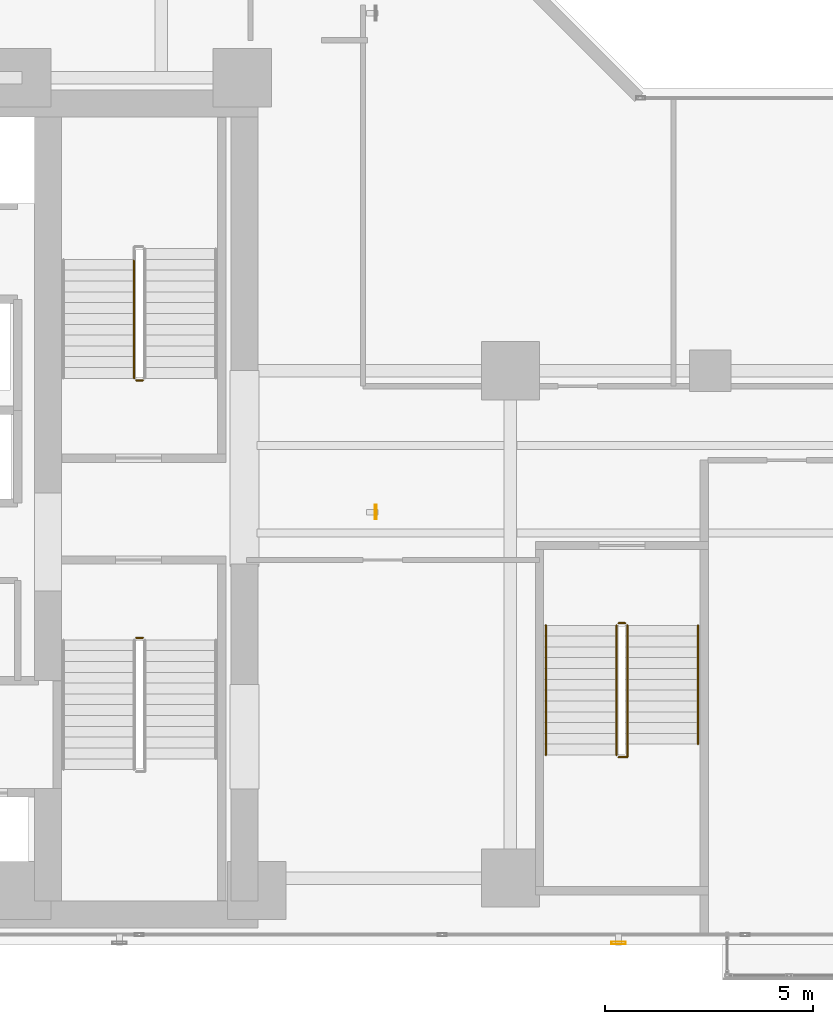
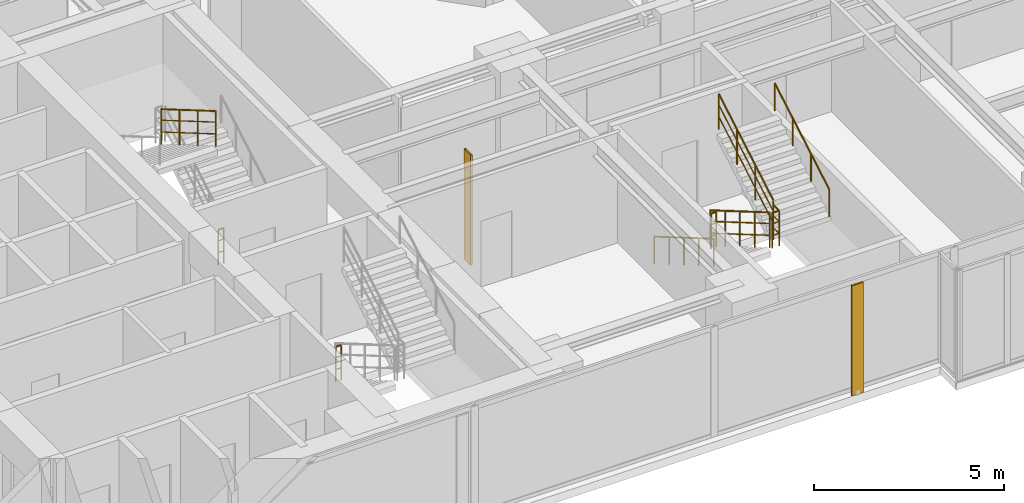
# One storey, part 26 of 29: 9 railings, 2 shading devices.
"""IFC4 building model written with IfcOpenShell, lengths in metres."""

from ifc_helpers import new_model, si_unit, direction, frame, origin, origin_2d, place, context, subcontext, project, spatial, hollow_rectangle, circle, extrude, material, material_profile, profile_set, type_object, element, save


model = new_model("IFC4")

# Units and contexts
model_context = context("Model", 3, precision=1e-05, world=origin(), true_north=direction((0.0, 1.0)))
body_context = subcontext(model_context, "Body", "Model", "MODEL_VIEW")
ifc_project = project(units=[si_unit("LENGTHUNIT", "METRE"), si_unit("AREAUNIT", "SQUARE_METRE"), si_unit("VOLUMEUNIT", "CUBIC_METRE"), si_unit("PLANEANGLEUNIT", "RADIAN"), si_unit("MASSUNIT", "GRAM", prefix="KILO")], contexts=[model_context])

# Site, building, storey
site_placement = place(None, origin())
site = spatial("IfcSite", under=ifc_project, at=site_placement, CompositionType="ELEMENT")
building_placement = place(site_placement, origin())
building = spatial("IfcBuilding", under=site, at=building_placement, Name="Kolvaren Waterfront Exchange", CompositionType="ELEMENT")
storey_placement = place(building_placement, frame((0.0, 0.0, 129.699951171875)))
storey = spatial("IfcBuildingStorey", under=building, at=storey_placement, Name="L33", CompositionType="ELEMENT", Elevation=129.699951171875)

# Shading devices
ifc_material_1 = material(Name="Anodised bronze aluminium 6063-T6", Category="aluminium")
ifc_material_profile = material_profile(ifc_material_1, hollow_rectangle(XDim=0.06005859375, YDim=0.35009765625, WallThickness=0.0048828125, at=origin_2d()), Name="BRZ-FIN-350x60x5")
ifc_profile_set = profile_set([ifc_material_profile], Name="Anodised bronze aluminium 6063-T6")
shading_device_type = type_object("IfcShadingDeviceType", Name="ARC-FIN-350", PredefinedType="USERDEFINED", material=ifc_profile_set)
for number, where, z_axis, x_axis, name in (
    (1, (29.800048828125, 3.639892578125, 0.0), (0.0, 0.0, 1.0), (0.0, -1.0, 0.0), "L33 anodised bronze solar shading fin FIN-L33-S3"),
    (2, (23.9599609375, 14.0, 0.0), (0.0, 0.0, 1.0), (1.0, 0.0, 0.0), "L33 anodised bronze solar shading fin FIN-L33-E1"),
):
    element("IfcShadingDevice", number, at=place(storey_placement, frame(where, z_axis=z_axis, x_axis=x_axis)), inside=storey, type_object=shading_device_type, Name=name, ObjectType="SOLAR FIN", PredefinedType="USERDEFINED", context=body_context, shape_type="SweptSolid", body=[
        extrude(hollow_rectangle(XDim=0.06005859375, YDim=0.35009765625, WallThickness=0.0048828125, at=origin_2d()), origin(), (0.0, 0.0, 1.0), 3.5400390625),
    ])

# Railings
ifc_material_2 = material(Name="Stainless steel 316", Category="steel")
railing_type_1 = type_object("IfcRailingType", Name="ARC-GUARD-STAIR", PredefinedType="GUARDRAIL", material=ifc_material_2)
railing_1_placement = place(storey_placement, frame((18.199951171875, 10.97998046875, 0.0)))
element("IfcRailing", 3, at=railing_1_placement, inside=storey, type_object=railing_type_1, Name="L33 ST1 stair guard 4", PredefinedType="GUARDRAIL", context=body_context, shape_type="SweptSolid", body=[
    extrude(circle(Radius=0.02392578125, at=origin_2d()), frame((0.0, 0.0, 1.1259765625), z_axis=(1.0, 0.0, 0.0), x_axis=(0.0, 1.0, 0.0)), (0.0, 0.0, 1.0), 0.16015625),
    extrude(circle(Radius=0.01611328125, at=origin_2d()), frame((0.0, 0.0, 0.390869140625), z_axis=(1.0, 0.0, 0.0), x_axis=(0.0, 1.0, 0.0)), (0.0, 0.0, 1.0), 0.16015625),
    extrude(circle(Radius=0.01611328125, at=origin_2d()), frame((0.0, 0.0, 0.7705078125), z_axis=(1.0, 0.0, 0.0), x_axis=(0.0, 1.0, 0.0)), (0.0, 0.0, 1.0), 0.16015625),
    extrude(circle(Radius=0.02099609375, at=origin_2d()), origin(), (0.0, 0.0, 1.0), 1.101806640625),
    extrude(circle(Radius=0.02099609375, at=origin_2d()), frame((0.16015625, 0.0, 0.0)), (0.0, 0.0, 1.0), 1.101806640625),
])
railing_2_placement = place(storey_placement, frame((18.14990234375, 20.080078125, 2.1279296875)))
element("IfcRailing", 4, at=railing_2_placement, inside=storey, type_object=railing_type_1, Name="L33 ST2 stair guard 3", PredefinedType="GUARDRAIL", context=body_context, shape_type="SweptSolid", body=[
    extrude(circle(Radius=0.02392578125, at=origin_2d()), frame((0.0, 0.0, 1.1259765625), z_axis=(0.0, -0.863289384635, 0.504709261235), x_axis=(1.0, 0.0, 0.0)), (0.0, 0.0, 1.0), 3.31298828125),
    extrude(circle(Radius=0.01611328125, at=origin_2d()), frame((0.0, 0.0, 0.390869140625), z_axis=(0.0, -0.863289384635, 0.504709261235), x_axis=(1.0, 0.0, 0.0)), (0.0, 0.0, 1.0), 3.31298828125),
    extrude(circle(Radius=0.01611328125, at=origin_2d()), frame((0.0, 0.0, 0.7705078125), z_axis=(0.0, -0.863289384635, 0.504709261235), x_axis=(1.0, 0.0, 0.0)), (0.0, 0.0, 1.0), 3.31298828125),
    extrude(circle(Radius=0.02099609375, at=origin_2d()), origin(), (0.0, 0.0, 1.0), 1.101806640625),
    extrude(circle(Radius=0.02099609375, at=origin_2d()), frame((0.0, -0.953369140625, 0.557373046875)), (0.0, 0.0, 1.0), 1.101806640625),
    extrude(circle(Radius=0.02099609375, at=origin_2d()), frame((0.0, -1.90673828125, 1.11474609375)), (0.0, 0.0, 1.0), 1.101806640625),
    extrude(circle(Radius=0.02099609375, at=origin_2d()), frame((0.0, -2.860107421875, 1.672119140625)), (0.0, 0.0, 1.0), 1.101806640625),
])
railing_3_placement = place(storey_placement, frame((18.360107421875, 17.169921875, 0.0)))
element("IfcRailing", 5, at=railing_3_placement, inside=storey, type_object=railing_type_1, Name="L33 ST2 stair guard 4", PredefinedType="GUARDRAIL", context=body_context, shape_type="SweptSolid", body=[
    extrude(circle(Radius=0.02392578125, at=origin_2d()), frame((0.0, 0.0, 1.1259765625), z_axis=(-1.0, 0.0, 0.0), x_axis=(0.0, -1.0, 0.0)), (0.0, 0.0, 1.0), 0.16015625),
    extrude(circle(Radius=0.01611328125, at=origin_2d()), frame((0.0, 0.0, 0.390869140625), z_axis=(-1.0, 0.0, 0.0), x_axis=(0.0, -1.0, 0.0)), (0.0, 0.0, 1.0), 0.16015625),
    extrude(circle(Radius=0.01611328125, at=origin_2d()), frame((0.0, 0.0, 0.7705078125), z_axis=(-1.0, 0.0, 0.0), x_axis=(0.0, -1.0, 0.0)), (0.0, 0.0, 1.0), 0.16015625),
    extrude(circle(Radius=0.02099609375, at=origin_2d()), origin(), (0.0, 0.0, 1.0), 1.101806640625),
    extrude(circle(Radius=0.02099609375, at=origin_2d()), frame((-0.16015625, 0.0, 0.0)), (0.0, 0.0, 1.0), 1.101806640625),
])
railing_4_placement = place(storey_placement, frame((29.75, 11.280029296875, 0.152099609375)))
element("IfcRailing", 6, at=railing_4_placement, inside=storey, type_object=railing_type_1, Name="L33 ST3 stair guard 1", PredefinedType="GUARDRAIL", context=body_context, shape_type="SweptSolid", body=[
    extrude(circle(Radius=0.02392578125, at=origin_2d()), frame((0.0, 0.0, 1.1259765625), z_axis=(0.0, -0.86330811405, 0.504677223793), x_axis=(1.0, 0.0, 0.0)), (0.0, 0.0, 1.0), 3.6142578125),
    extrude(circle(Radius=0.01611328125, at=origin_2d()), frame((0.0, 0.0, 0.390869140625), z_axis=(0.0, -0.86330811405, 0.504677223793), x_axis=(1.0, 0.0, 0.0)), (0.0, 0.0, 1.0), 3.6142578125),
    extrude(circle(Radius=0.01611328125, at=origin_2d()), frame((0.0, 0.0, 0.7705078125), z_axis=(0.0, -0.86330811405, 0.504677223793), x_axis=(1.0, 0.0, 0.0)), (0.0, 0.0, 1.0), 3.6142578125),
    extrude(circle(Radius=0.02099609375, at=origin_2d()), origin(), (0.0, 0.0, 1.0), 1.101806640625),
    extrude(circle(Radius=0.02099609375, at=origin_2d()), frame((0.0, -0.780029296875, 0.4560546875)), (0.0, 0.0, 1.0), 1.101806640625),
    extrude(circle(Radius=0.02099609375, at=origin_2d()), frame((0.0, -1.56005859375, 0.912109375)), (0.0, 0.0, 1.0), 1.101806640625),
    extrude(circle(Radius=0.02099609375, at=origin_2d()), frame((0.0, -2.340087890625, 1.367919921875)), (0.0, 0.0, 1.0), 1.101806640625),
    extrude(circle(Radius=0.02099609375, at=origin_2d()), frame((0.0, -3.1201171875, 1.823974609375)), (0.0, 0.0, 1.0), 1.101806640625),
])
railing_5_placement = place(storey_placement, frame((29.800048828125, 8.110107421875, 1.97607421875)))
element("IfcRailing", 7, at=railing_5_placement, inside=storey, type_object=railing_type_1, Name="L33 ST3 stair guard 2", PredefinedType="GUARDRAIL", context=body_context, shape_type="SweptSolid", body=[
    extrude(circle(Radius=0.02392578125, at=origin_2d()), frame((0.0, 0.0, 1.1259765625), z_axis=(1.0, 0.0, 0.0), x_axis=(0.0, 1.0, 0.0)), (0.0, 0.0, 1.0), 0.2099609375),
    extrude(circle(Radius=0.01611328125, at=origin_2d()), frame((0.0, 0.0, 0.390869140625), z_axis=(1.0, 0.0, 0.0), x_axis=(0.0, 1.0, 0.0)), (0.0, 0.0, 1.0), 0.2099609375),
    extrude(circle(Radius=0.01611328125, at=origin_2d()), frame((0.0, 0.0, 0.7705078125), z_axis=(1.0, 0.0, 0.0), x_axis=(0.0, 1.0, 0.0)), (0.0, 0.0, 1.0), 0.2099609375),
    extrude(circle(Radius=0.02392578125, at=origin_2d()), frame((0.2099609375, 0.0, 1.1259765625), z_axis=(0.0, 1.0, 0.0), x_axis=(-1.0, 0.0, 0.0)), (0.0, 0.0, 1.0), 0.309814453125),
    extrude(circle(Radius=0.01611328125, at=origin_2d()), frame((0.2099609375, 0.0, 0.390869140625), z_axis=(0.0, 1.0, 0.0), x_axis=(-1.0, 0.0, 0.0)), (0.0, 0.0, 1.0), 0.309814453125),
    extrude(circle(Radius=0.01611328125, at=origin_2d()), frame((0.2099609375, 0.0, 0.7705078125), z_axis=(0.0, 1.0, 0.0), x_axis=(-1.0, 0.0, 0.0)), (0.0, 0.0, 1.0), 0.309814453125),
    extrude(circle(Radius=0.02099609375, at=origin_2d()), origin(), (0.0, 0.0, 1.0), 1.101806640625),
    extrude(circle(Radius=0.02099609375, at=origin_2d()), frame((0.2099609375, 0.0, 0.0)), (0.0, 0.0, 1.0), 1.101806640625),
    extrude(circle(Radius=0.02099609375, at=origin_2d()), frame((0.2099609375, 0.309814453125, 0.0)), (0.0, 0.0, 1.0), 1.101806640625),
])
railing_6_placement = place(storey_placement, frame((30.010009765625, 8.419921875, 2.1279296875)))
element("IfcRailing", 8, at=railing_6_placement, inside=storey, type_object=railing_type_1, Name="L33 ST3 stair guard 3", PredefinedType="GUARDRAIL", context=body_context, shape_type="SweptSolid", body=[
    extrude(circle(Radius=0.02392578125, at=origin_2d()), frame((0.0, 0.0, 1.1259765625), z_axis=(0.0, 0.863289384635, 0.504709261235), x_axis=(-1.0, 0.0, 0.0)), (0.0, 0.0, 1.0), 3.31298828125),
    extrude(circle(Radius=0.01611328125, at=origin_2d()), frame((0.0, 0.0, 0.390869140625), z_axis=(0.0, 0.863289384635, 0.504709261235), x_axis=(-1.0, 0.0, 0.0)), (0.0, 0.0, 1.0), 3.31298828125),
    extrude(circle(Radius=0.01611328125, at=origin_2d()), frame((0.0, 0.0, 0.7705078125), z_axis=(0.0, 0.863289384635, 0.504709261235), x_axis=(-1.0, 0.0, 0.0)), (0.0, 0.0, 1.0), 3.31298828125),
    extrude(circle(Radius=0.02099609375, at=origin_2d()), origin(), (0.0, 0.0, 1.0), 1.101806640625),
    extrude(circle(Radius=0.02099609375, at=origin_2d()), frame((0.0, 0.953369140625, 0.557373046875)), (0.0, 0.0, 1.0), 1.101806640625),
    extrude(circle(Radius=0.02099609375, at=origin_2d()), frame((0.0, 1.90673828125, 1.11474609375)), (0.0, 0.0, 1.0), 1.101806640625),
    extrude(circle(Radius=0.02099609375, at=origin_2d()), frame((0.0, 2.860107421875, 1.672119140625)), (0.0, 0.0, 1.0), 1.101806640625),
])
railing_7_placement = place(storey_placement, frame((29.800048828125, 11.330078125, 0.0)))
element("IfcRailing", 9, at=railing_7_placement, inside=storey, type_object=railing_type_1, Name="L33 ST3 stair guard 4", PredefinedType="GUARDRAIL", context=body_context, shape_type="SweptSolid", body=[
    extrude(circle(Radius=0.02392578125, at=origin_2d()), frame((0.0, 0.0, 1.1259765625), z_axis=(1.0, 0.0, 0.0), x_axis=(0.0, 1.0, 0.0)), (0.0, 0.0, 1.0), 0.159912109375),
    extrude(circle(Radius=0.01611328125, at=origin_2d()), frame((0.0, 0.0, 0.390869140625), z_axis=(1.0, 0.0, 0.0), x_axis=(0.0, 1.0, 0.0)), (0.0, 0.0, 1.0), 0.159912109375),
    extrude(circle(Radius=0.01611328125, at=origin_2d()), frame((0.0, 0.0, 0.7705078125), z_axis=(1.0, 0.0, 0.0), x_axis=(0.0, 1.0, 0.0)), (0.0, 0.0, 1.0), 0.159912109375),
    extrude(circle(Radius=0.02099609375, at=origin_2d()), origin(), (0.0, 0.0, 1.0), 1.101806640625),
    extrude(circle(Radius=0.02099609375, at=origin_2d()), frame((0.159912109375, 0.0, 0.0)), (0.0, 0.0, 1.0), 1.101806640625),
])
railing_type_2 = type_object("IfcRailingType", Name="ARC-HANDRAIL-900", PredefinedType="HANDRAIL", material=ifc_material_2)
railing_8_placement = place(storey_placement, frame((28.050048828125, 11.280029296875, 0.152099609375)))
element("IfcRailing", 10, at=railing_8_placement, inside=storey, type_object=railing_type_2, Name="L33 ST3 stair handrail 1", PredefinedType="HANDRAIL", context=body_context, shape_type="SweptSolid", body=[
    extrude(circle(Radius=0.02392578125, at=origin_2d()), frame((0.0, 0.0, 0.8759765625), z_axis=(0.0, -0.86330811405, 0.504677223793), x_axis=(1.0, 0.0, 0.0)), (0.0, 0.0, 1.0), 3.6142578125),
    extrude(circle(Radius=0.02099609375, at=origin_2d()), origin(), (0.0, 0.0, 1.0), 0.851806640625),
    extrude(circle(Radius=0.02099609375, at=origin_2d()), frame((0.0, -0.780029296875, 0.4560546875)), (0.0, 0.0, 1.0), 0.851806640625),
    extrude(circle(Radius=0.02099609375, at=origin_2d()), frame((0.0, -1.56005859375, 0.912109375)), (0.0, 0.0, 1.0), 0.851806640625),
    extrude(circle(Radius=0.02099609375, at=origin_2d()), frame((0.0, -2.340087890625, 1.367919921875)), (0.0, 0.0, 1.0), 0.851806640625),
    extrude(circle(Radius=0.02099609375, at=origin_2d()), frame((0.0, -3.1201171875, 1.823974609375)), (0.0, 0.0, 1.0), 0.851806640625),
])
railing_9_placement = place(storey_placement, frame((31.7099609375, 8.419921875, 2.1279296875)))
element("IfcRailing", 11, at=railing_9_placement, inside=storey, type_object=railing_type_2, Name="L33 ST3 stair handrail 2", PredefinedType="HANDRAIL", context=body_context, shape_type="SweptSolid", body=[
    extrude(circle(Radius=0.02392578125, at=origin_2d()), frame((0.0, 0.0, 0.8759765625), z_axis=(0.0, 0.863289384635, 0.504709261235), x_axis=(-1.0, 0.0, 0.0)), (0.0, 0.0, 1.0), 3.31298828125),
    extrude(circle(Radius=0.02099609375, at=origin_2d()), origin(), (0.0, 0.0, 1.0), 0.851806640625),
    extrude(circle(Radius=0.02099609375, at=origin_2d()), frame((0.0, 0.953369140625, 0.557373046875)), (0.0, 0.0, 1.0), 0.851806640625),
    extrude(circle(Radius=0.02099609375, at=origin_2d()), frame((0.0, 1.90673828125, 1.11474609375)), (0.0, 0.0, 1.0), 0.851806640625),
    extrude(circle(Radius=0.02099609375, at=origin_2d()), frame((0.0, 2.860107421875, 1.672119140625)), (0.0, 0.0, 1.0), 0.851806640625),
])

save(model, "model.ifc")
